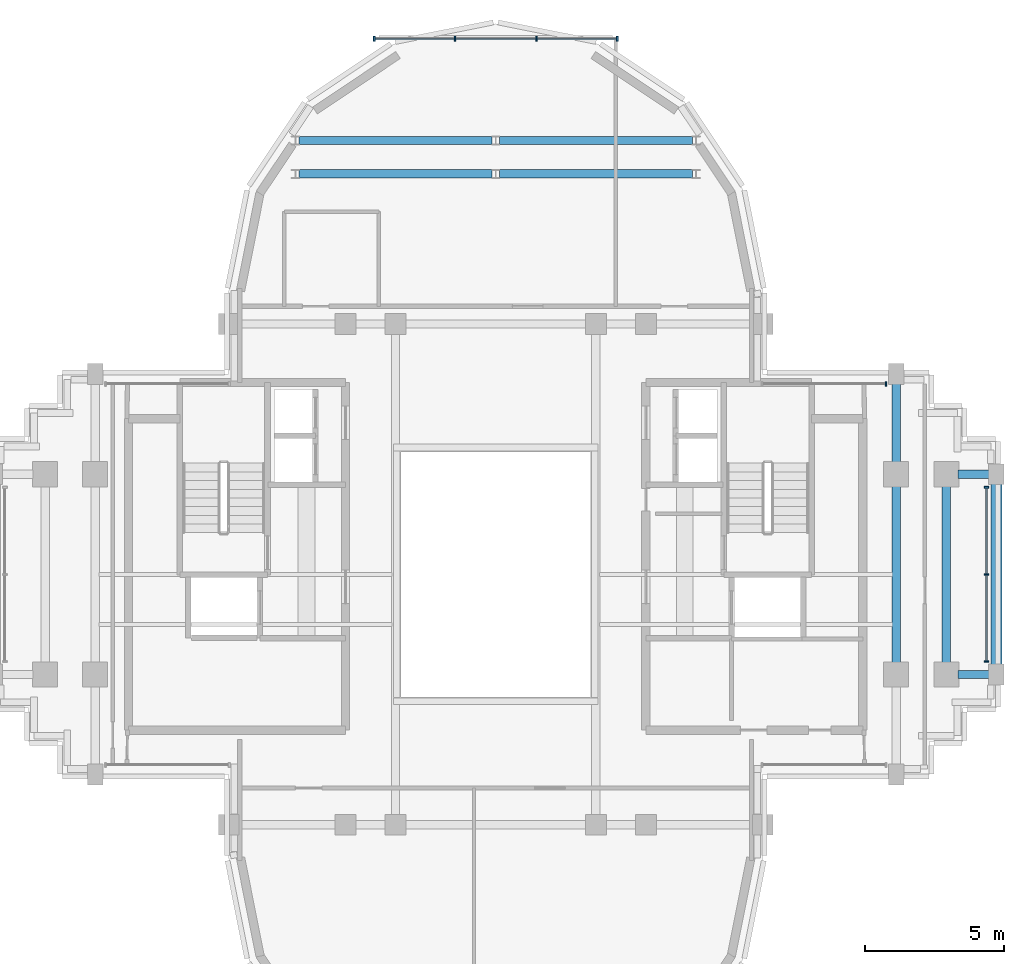
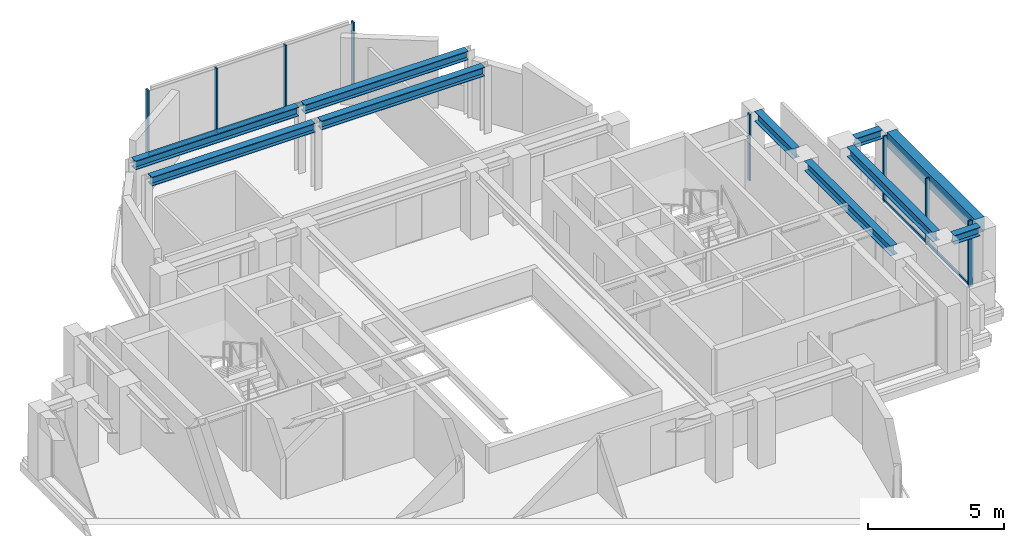
# One storey, part 6 of 12: 13 members, 10 beams, 3 elements without a shape of their own.
"""IFC4 building model written with IfcOpenShell, lengths in metres."""

import ifcopenshell
import ifcopenshell.guid

model = None  # the IFC model being written
_history = None  # IfcOwnerHistory: only IFC2X3 demands one
_inside = {}  # id of a spatial element -> (the spatial element, [elements in it])
_under = {}  # id of a project, library or spatial element -> (it, [spatial elements below it])
_declared = {}  # id of a project -> (the project, [libraries it declares])
_typed = {}  # id of a type object -> (the type object, [elements of that type])
_made_of = {}  # id of a material, layer set ... -> (it, [elements and type objects made of it])


def new_model(schema):
    """Start an empty IFC model of exactly this schema.

    Asked for "IFC4X3", IfcOpenShell would pick the latest addendum, in which some entities
    have other attributes; the version numbers below select the first issue.
    IFC2X3 requires an IfcOwnerHistory on every rooted entity: one is made here for all.
    """
    global model, _history
    if schema == "IFC4X3":
        model = ifcopenshell.file(schema_version=(4, 3, 0, 0))
    else:
        model = ifcopenshell.file(schema=schema)
    _inside.clear()
    _under.clear()
    _declared.clear()
    _typed.clear()
    _made_of.clear()
    _history = None
    if model.schema == "IFC2X3":
        org = make("IfcOrganization", Name="unknown")
        user = make(
            "IfcPersonAndOrganization",
            ThePerson=make("IfcPerson", FamilyName="unknown"),
            TheOrganization=org,
        )
        app = make(
            "IfcApplication",
            ApplicationDeveloper=org,
            Version="unknown",
            ApplicationFullName="unknown",
            ApplicationIdentifier="unknown",
        )
        _history = make(
            "IfcOwnerHistory",
            OwningUser=user,
            OwningApplication=app,
            ChangeAction="ADDED",
            CreationDate=0,
        )
    return model


def make(cls, **values):
    """One entity of the class cls with the attributes given. An attribute that is None is left unset."""
    return model.create_entity(
        cls, **{name: value for name, value in values.items() if value is not None}
    )


def rooted(cls, **values):
    """An entity with a GlobalId (a new one), such as an element, a storey or a relation."""
    return make(cls, GlobalId=ifcopenshell.guid.new(), OwnerHistory=_history, **values)


def si_unit(unit_type, name, prefix=None):
    """IfcSIUnit, for example si_unit("LENGTHUNIT", "METRE", prefix="MILLI")."""
    return make("IfcSIUnit", UnitType=unit_type, Prefix=prefix, Name=name)


def assignment(units):
    """IfcUnitAssignment: the units of a project."""
    return None if units is None else make("IfcUnitAssignment", Units=units)


def point(xyz):
    """IfcCartesianPoint."""
    return None if xyz is None else make("IfcCartesianPoint", Coordinates=xyz)


def direction(xyz):
    """IfcDirection."""
    return None if xyz is None else make("IfcDirection", DirectionRatios=xyz)


def frame(location, z_axis=None, x_axis=None):
    """IfcAxis2Placement3D, a coordinate frame: its origin and axes. An axis left out is left unset."""
    return make(
        "IfcAxis2Placement3D",
        Location=point(location),
        Axis=direction(z_axis),
        RefDirection=direction(x_axis),
    )


def frame_2d(location, x_axis=None):
    """IfcAxis2Placement2D, a coordinate frame in the plane: its origin and x axis."""
    return make(
        "IfcAxis2Placement2D", Location=point(location), RefDirection=direction(x_axis)
    )


def origin():
    """The frame at (0, 0, 0) with its axes left unset."""
    return frame((0.0, 0.0, 0.0))


def origin_2d():
    """The frame at (0, 0) in the plane with its x axis left unset."""
    return frame_2d((0.0, 0.0))


def place(relative_to, where):
    """IfcLocalPlacement: puts the frame where relative to a parent placement (None: the world)."""
    return make(
        "IfcLocalPlacement", PlacementRelTo=relative_to, RelativePlacement=where
    )


def context(
    kind, dimensions, precision=None, world=None, true_north=None, identifier=None
):
    """IfcGeometricRepresentationContext, for example the 3D "Model" context."""
    return make(
        "IfcGeometricRepresentationContext",
        ContextIdentifier=identifier,
        ContextType=kind,
        CoordinateSpaceDimension=dimensions,
        Precision=precision,
        WorldCoordinateSystem=world,
        TrueNorth=true_north,
    )


def subcontext(parent, identifier, kind, view, scale=None):
    """IfcGeometricRepresentationSubContext, for example "Body" below "Model"."""
    return make(
        "IfcGeometricRepresentationSubContext",
        ContextIdentifier=identifier,
        ContextType=kind,
        ParentContext=parent,
        TargetScale=scale,
        TargetView=view,
    )


def project(units=None, contexts=None):
    """IfcProject with its units and contexts."""
    return rooted(
        "IfcProject",
        Name="project",
        RepresentationContexts=contexts,
        UnitsInContext=assignment(units),
    )


def spatial(cls, under=None, at=None, **own):
    """A site, building, storey or space (cls), placed at a placement, below another one or the project."""
    s = rooted(cls, ObjectPlacement=at, **own)
    if under is not None:
        _under.setdefault(under.id(), (under, []))[1].append(s)
    return s


def profile(cls, at=None, kind="AREA", **sizes):
    """A parametric profile (cls). Its sizes go by their IFC names, for example OverallWidth=200.0."""
    return make(cls, ProfileType=kind, Position=at, **sizes)


def rectangle(**sizes):
    """IfcRectangleProfileDef."""
    return profile("IfcRectangleProfileDef", **sizes)


def i_section(**sizes):
    """IfcIShapeProfileDef."""
    return profile("IfcIShapeProfileDef", **sizes)


def extrude(swept, where, along, depth):
    """IfcExtrudedAreaSolid: the profile swept, set in the frame where, extruded along a direction by depth."""
    return make(
        "IfcExtrudedAreaSolid",
        SweptArea=swept,
        Position=where,
        ExtrudedDirection=direction(along),
        Depth=depth,
    )


def shape(context_of_items, identifier, shape_type, items):
    """IfcShapeRepresentation: the items that make up one representation, for example the "Body"."""
    return make(
        "IfcShapeRepresentation",
        ContextOfItems=context_of_items,
        RepresentationIdentifier=identifier,
        RepresentationType=shape_type,
        Items=items,
    )


def source(mapping_origin, context_of_items, identifier, shape_type, items):
    """IfcRepresentationMap: a shape defined once, which mapped items show again and again."""
    return make(
        "IfcRepresentationMap",
        MappingOrigin=mapping_origin,
        MappedRepresentation=shape(context_of_items, identifier, shape_type, items),
    )


def transform(
    local_origin,
    x_axis=None,
    y_axis=None,
    z_axis=None,
    scale=None,
    scale2=None,
    scale3=None,
    uniform=True,
):
    """IfcCartesianTransformationOperator3D, or its non-uniform kind. x_axis, y_axis, z_axis: its Axis1, 2, 3."""
    if uniform:
        return make(
            "IfcCartesianTransformationOperator3D",
            Axis1=direction(x_axis),
            Axis2=direction(y_axis),
            LocalOrigin=point(local_origin),
            Scale=scale,
            Axis3=direction(z_axis),
        )
    return make(
        "IfcCartesianTransformationOperator3DnonUniform",
        Axis1=direction(x_axis),
        Axis2=direction(y_axis),
        LocalOrigin=point(local_origin),
        Scale=scale,
        Axis3=direction(z_axis),
        Scale2=scale2,
        Scale3=scale3,
    )


def mapped(mapping_source, mapping_target):
    """IfcMappedItem: shows the shape of a source again, moved by a transform."""
    return make(
        "IfcMappedItem", MappingSource=mapping_source, MappingTarget=mapping_target
    )


def material(Name=None, Category=None):
    """IfcMaterial."""
    return make("IfcMaterial", Name=Name, Category=Category)


def material_profile(
    of_material, cross_section, Name=None, Category=None, Priority=None
):
    """IfcMaterialProfile: a cross section and its material."""
    return make(
        "IfcMaterialProfile",
        Name=Name,
        Material=of_material,
        Profile=cross_section,
        Priority=Priority,
        Category=Category,
    )


def profile_set(profiles, Name=None, composite=None):
    """IfcMaterialProfileSet."""
    return make(
        "IfcMaterialProfileSet",
        Name=Name,
        MaterialProfiles=profiles,
        CompositeProfile=composite,
    )


def made_of(thing, what):
    """Note that an element or type object is made of a material, layer set ...; save() writes the relation."""
    if what is not None:
        _made_of.setdefault(what.id(), (what, []))[1].append(thing)
    return thing


def type_object(cls, material=None, **own):
    """A type object (cls), such as IfcWallType, which elements share."""
    return made_of(rooted(cls, **own), material)


def element(
    cls,
    number,
    at=None,
    inside=None,
    cuts=None,
    type_object=None,
    material=None,
    context=None,
    identifier="Body",
    shape_type=None,
    held_by="IfcProductDefinitionShape",
    body=None,
    shapes=None,
    **own,
):
    """One element of the class cls, such as IfcWall. Its Tag is "e" and its number.

    at: its placement. inside: the storey or other place that contains it. cuts: it is an
    opening in that element (IfcRelVoidsElement). A single representation is given by context,
    identifier, shape_type and body (its items); several are given by shapes. held_by: the class
    of the entity that holds the representations. save() writes the other relations.
    """
    e = rooted(cls, Tag="e%d" % number, ObjectPlacement=at, **own)
    if body is not None:
        shapes = [shape(context, identifier, shape_type, body)]
    if shapes is not None:
        e.Representation = make(held_by, Representations=shapes)
    if inside is not None:
        _inside.setdefault(inside.id(), (inside, []))[1].append(e)
    if cuts is not None:
        rooted(
            "IfcRelVoidsElement", RelatingBuildingElement=cuts, RelatedOpeningElement=e
        )
    if type_object is not None:
        _typed.setdefault(type_object.id(), (type_object, []))[1].append(e)
    return made_of(e, material)


def aggregate(whole, parts):
    """IfcRelAggregates: a whole, such as a stair, and the parts it consists of."""
    return rooted("IfcRelAggregates", RelatingObject=whole, RelatedObjects=parts)


def save(model, path):
    """Write the relations noted so far, then the file.

    IfcRelAggregates (storeys below a building ...), IfcRelContainedInSpatialStructure (elements
    in a storey), IfcRelDefinesByType, IfcRelAssociatesMaterial and IfcRelDeclares: one each for
    every whole, place, type object, material and project.
    """
    for whole, parts in _under.values():
        aggregate(whole, parts)
    for where, things in _inside.values():
        rooted(
            "IfcRelContainedInSpatialStructure",
            RelatedElements=things,
            RelatingStructure=where,
        )
    for kind, things in _typed.values():
        rooted("IfcRelDefinesByType", RelatedObjects=things, RelatingType=kind)
    for what, things in _made_of.values():
        rooted("IfcRelAssociatesMaterial", RelatedObjects=things, RelatingMaterial=what)
    for by, libraries in _declared.values():
        rooted("IfcRelDeclares", RelatingContext=by, RelatedDefinitions=libraries)
    model.write(path)


model = new_model("IFC4")

# Units and contexts
model_context = context("Model", 3, precision=1e-05, world=origin(), true_north=direction((0.0, 1.0)))
body_context = subcontext(model_context, "Body", "Model", "MODEL_VIEW")
ifc_project = project(units=[si_unit("LENGTHUNIT", "METRE"), si_unit("AREAUNIT", "SQUARE_METRE"), si_unit("VOLUMEUNIT", "CUBIC_METRE"), si_unit("PLANEANGLEUNIT", "RADIAN"), si_unit("MASSUNIT", "GRAM", prefix="KILO")], contexts=[model_context])

# Site, building, storey
site_placement = place(None, origin())
site = spatial("IfcSite", under=ifc_project, at=site_placement, CompositionType="ELEMENT")
building_placement = place(site_placement, origin())
building = spatial("IfcBuilding", under=site, at=building_placement, Name="Keilestroom Media Tower", CompositionType="ELEMENT")
storey_placement = place(building_placement, frame((0.0, 0.0, 236.39990234375)))
storey = spatial("IfcBuildingStorey", under=building, at=storey_placement, Name="L65", CompositionType="ELEMENT", Elevation=236.39990234375)

# Beams
ifc_material_1 = material(Name="Steel S355", Category="steel")
ifc_material_profile_1 = material_profile(ifc_material_1, i_section(OverallWidth=0.300048828125, OverallDepth=0.39990234375, WebThickness=0.011474609375, FlangeThickness=0.02392578125, at=origin_2d()), Name="HEB 400")
ifc_profile_set_1 = profile_set([ifc_material_profile_1], Name="Steel S355")
beam_type_1 = type_object("IfcBeamType", Name="Primary-Structural-Girder-HEB-400", PredefinedType="BEAM", material=ifc_profile_set_1)
shared_shape_1 = source(origin(), body_context, "Body", "SweptSolid", [
    extrude(i_section(OverallWidth=0.300048828125, OverallDepth=0.39990234375, WebThickness=0.011474609375, FlangeThickness=0.02392578125, at=origin_2d()), origin(), (0.0, 0.0, 1.0), 6.940185546875),
])
for number, where, z_axis, x_axis, name in (
    (1, (-7.070068359375, 14.39990234375, 2.81005859375), (1.0, 0.0, 0.0), (0.0, 1.0, 0.0), "L65 Beam BG-8 BM-L65-EW-021"),
    (2, (0.1298828125, 14.39990234375, 2.81005859375), (1.0, 0.0, 0.0), (0.0, 1.0, 0.0), "L65 Beam BG-8 BM-L65-EW-022"),
    (3, (-7.070068359375, 15.60009765625, 2.81005859375), (1.0, 0.0, 0.0), (0.0, 1.0, 0.0), "L65 Beam BG-8 BM-L65-EW-023"),
    (4, (0.1298828125, 15.60009765625, 2.81005859375), (1.0, 0.0, 0.0), (0.0, 1.0, 0.0), "L65 Beam BG-8 BM-L65-EW-024"),
):
    element("IfcBeam", number, at=place(storey_placement, frame(where, z_axis=z_axis, x_axis=x_axis)), inside=storey, type_object=beam_type_1, Name=name, PredefinedType="BEAM", context=body_context, shape_type="MappedRepresentation", body=[
        mapped(shared_shape_1, transform((0.0, 0.0, 0.0), x_axis=(1.0, 0.0, 0.0), y_axis=(0.0, 1.0, 0.0), z_axis=(0.0, 0.0, 1.0), scale=1.0)),
    ])
shared_shape_2 = source(origin(), body_context, "Body", "SweptSolid", [
    extrude(i_section(OverallWidth=0.300048828125, OverallDepth=0.39990234375, WebThickness=0.011474609375, FlangeThickness=0.02392578125, at=origin_2d()), origin(), (0.0, 0.0, 1.0), 1.115234375),
])
for number, where, z_axis, x_axis, name in (
    (5, (16.6298828125, -3.60009765625, 2.81005859375), (1.0, 0.0, 0.0), (0.0, 1.0, 0.0), "L65 Beam BG-8 BM-L65-EW-011"),
    (6, (16.6298828125, 3.60009765625, 2.81005859375), (1.0, 0.0, 0.0), (0.0, 1.0, 0.0), "L65 Beam BG-8 BM-L65-EW-015"),
):
    element("IfcBeam", number, at=place(storey_placement, frame(where, z_axis=z_axis, x_axis=x_axis)), inside=storey, type_object=beam_type_1, Name=name, PredefinedType="BEAM", context=body_context, shape_type="MappedRepresentation", body=[
        mapped(shared_shape_2, transform((0.0, 0.0, 0.0), x_axis=(1.0, 0.0, 0.0), y_axis=(0.0, 1.0, 0.0), z_axis=(0.0, 0.0, 1.0), scale=1.0)),
    ])
ifc_material_2 = material(Name="Precast concrete C40/50", Category="concrete")
ifc_material_profile_2 = material_profile(ifc_material_2, rectangle(XDim=0.39990234375, YDim=0.64990234375, at=origin_2d()), Name="PC 400x650")
ifc_profile_set_2 = profile_set([ifc_material_profile_2], Name="Precast concrete C40/50")
beam_type_2 = type_object("IfcBeamType", Name="Perimeter-Spandrel-Beam-PC-400x650", PredefinedType="SPANDREL", material=ifc_profile_set_2)
shared_shape_3 = source(origin(), body_context, "Body", "SweptSolid", [
    extrude(rectangle(XDim=0.39990234375, YDim=0.64990234375, at=origin_2d()), origin(), (0.0, 0.0, 1.0), 6.490234375),
])
beam_1_placement = place(storey_placement, frame((18.0, -3.2451171875, 2.68505859375), z_axis=(0.0, 1.0, 0.0), x_axis=(-1.0, 0.0, 0.0)))
element("IfcBeam", 7, at=beam_1_placement, inside=storey, type_object=beam_type_2, Name="L65 Beam SPB-2 BM-L65-NS-044", PredefinedType="SPANDREL", context=body_context, shape_type="MappedRepresentation", body=[
    mapped(shared_shape_3, transform((0.0, 0.0, 0.0), x_axis=(1.0, 0.0, 0.0), y_axis=(0.0, 1.0, 0.0), z_axis=(0.0, 0.0, 1.0), scale=1.0)),
])
ifc_material_profile_3 = material_profile(ifc_material_1, i_section(OverallWidth=0.300048828125, OverallDepth=0.43994140625, WebThickness=0.011474609375, FlangeThickness=0.02099609375, at=origin_2d()), Name="HEA 450")
ifc_profile_set_3 = profile_set([ifc_material_profile_3], Name="Steel S355")
beam_type_3 = type_object("IfcBeamType", Name="Primary-Structural-Girder-HEA-450", PredefinedType="BEAM", material=ifc_profile_set_3)
shared_shape_4 = source(origin(), body_context, "Body", "SweptSolid", [
    extrude(i_section(OverallWidth=0.300048828125, OverallDepth=0.43994140625, WebThickness=0.011474609375, FlangeThickness=0.02099609375, at=origin_2d()), origin(), (0.0, 0.0, 1.0), 6.33984375),
])
for number, where, z_axis, x_axis, name in (
    (8, (14.39990234375, -3.169921875, 2.7900390625), (0.0, 1.0, 0.0), (-1.0, 0.0, 0.0), "L65 Beam BG-11 BM-L65-NS-041"),
    (9, (16.199951171875, -3.169921875, 2.7900390625), (0.0, 1.0, 0.0), (-1.0, 0.0, 0.0), "L65 Beam BG-11 BM-L65-NS-043"),
):
    element("IfcBeam", number, at=place(storey_placement, frame(where, z_axis=z_axis, x_axis=x_axis)), inside=storey, type_object=beam_type_3, Name=name, PredefinedType="BEAM", context=body_context, shape_type="MappedRepresentation", body=[
        mapped(shared_shape_4, transform((0.0, 0.0, 0.0), x_axis=(1.0, 0.0, 0.0), y_axis=(0.0, 1.0, 0.0), z_axis=(0.0, 0.0, 1.0), scale=1.0)),
    ])
shared_shape_5 = source(origin(), body_context, "Body", "SweptSolid", [
    extrude(i_section(OverallWidth=0.300048828125, OverallDepth=0.43994140625, WebThickness=0.011474609375, FlangeThickness=0.02099609375, at=origin_2d()), origin(), (0.0, 0.0, 1.0), 2.81494140625),
])
beam_2_placement = place(storey_placement, frame((14.39990234375, 4.030029296875, 2.7900390625), z_axis=(0.0, 1.0, 0.0), x_axis=(-1.0, 0.0, 0.0)))
element("IfcBeam", 10, at=beam_2_placement, inside=storey, type_object=beam_type_3, Name="L65 Beam BG-11 BM-L65-NS-042", PredefinedType="BEAM", context=body_context, shape_type="MappedRepresentation", body=[
    mapped(shared_shape_5, transform((0.0, 0.0, 0.0), x_axis=(1.0, 0.0, 0.0), y_axis=(0.0, 1.0, 0.0), z_axis=(0.0, 0.0, 1.0), scale=1.0)),
])

# Curtain wall, members
ifc_material_3 = material(Name="Anodised Aluminium Alloy", Category="aluminium")
curtain_wall_type_1 = type_object("IfcCurtainWallType", Name="Unitised-Curtain-Wall-CW-6", PredefinedType="NOTDEFINED", material=ifc_material_3)
curtain_wall_1_placement = place(storey_placement, origin())
curtain_wall_1 = element("IfcCurtainWall", 11, at=curtain_wall_1_placement, inside=storey, type_object=curtain_wall_type_1, Name="L65 Curtain Wall CW-6 CW-L65-LN-1", PredefinedType="NOTDEFINED")
ifc_material_profile_4 = material_profile(ifc_material_3, rectangle(XDim=0.06494140625, YDim=0.179931640625, at=origin_2d()), Name="ALU MULLION 65x180")
ifc_profile_set_4 = profile_set([ifc_material_profile_4], Name="Anodised Aluminium Alloy")
member_type_1 = type_object("IfcMemberType", Name="Curtain-Wall-Mullion-CW-6", PredefinedType="MULLION", material=ifc_profile_set_4)
shared_shape_6 = source(origin(), body_context, "Body", "SweptSolid", [
    extrude(rectangle(XDim=0.06494140625, YDim=0.179931640625, at=origin_2d()), origin(), (0.0, 0.0, 1.0), 2.97998046875),
])
member_1_placement = place(storey_placement, frame((-4.367431640625, 19.25, 0.0), z_axis=(0.0, 0.0, 1.0), x_axis=(1.0, 0.0, 0.0)))
member_1 = element("IfcMember", 12, at=member_1_placement, type_object=member_type_1, Name="CW-6 Mullion 00", PredefinedType="MULLION", context=body_context, shape_type="MappedRepresentation", body=[
    mapped(shared_shape_6, transform((0.0, 0.0, 0.0), x_axis=(1.0, 0.0, 0.0), y_axis=(0.0, 1.0, 0.0), z_axis=(0.0, 0.0, 1.0), scale=1.0)),
])
member_2_placement = place(storey_placement, frame((-1.466796875, 19.25, 0.0), z_axis=(0.0, 0.0, 1.0), x_axis=(1.0, 0.0, 0.0)))
member_2 = element("IfcMember", 13, at=member_2_placement, type_object=member_type_1, Name="CW-6 Mullion 01", PredefinedType="MULLION", context=body_context, shape_type="MappedRepresentation", body=[
    mapped(shared_shape_6, transform((0.0, 0.0, 0.0), x_axis=(1.0, 0.0, 0.0), y_axis=(0.0, 1.0, 0.0), z_axis=(0.0, 0.0, 1.0), scale=1.0)),
])
member_3_placement = place(storey_placement, frame((1.466796875, 19.25, 0.0), z_axis=(0.0, 0.0, 1.0), x_axis=(1.0, 0.0, 0.0)))
member_3 = element("IfcMember", 14, at=member_3_placement, type_object=member_type_1, Name="CW-6 Mullion 02", PredefinedType="MULLION", context=body_context, shape_type="MappedRepresentation", body=[
    mapped(shared_shape_6, transform((0.0, 0.0, 0.0), x_axis=(1.0, 0.0, 0.0), y_axis=(0.0, 1.0, 0.0), z_axis=(0.0, 0.0, 1.0), scale=1.0)),
])
member_4_placement = place(storey_placement, frame((4.367431640625, 19.25, 0.0), z_axis=(0.0, 0.0, 1.0), x_axis=(1.0, 0.0, 0.0)))
member_4 = element("IfcMember", 15, at=member_4_placement, type_object=member_type_1, Name="CW-6 Mullion 03", PredefinedType="MULLION", context=body_context, shape_type="MappedRepresentation", body=[
    mapped(shared_shape_6, transform((0.0, 0.0, 0.0), x_axis=(1.0, 0.0, 0.0), y_axis=(0.0, 1.0, 0.0), z_axis=(0.0, 0.0, 1.0), scale=1.0)),
])
ifc_material_profile_5 = material_profile(ifc_material_3, rectangle(XDim=0.06494140625, YDim=0.14990234375, at=origin_2d()), Name="ALU TRANSOM 65x150")
ifc_profile_set_5 = profile_set([ifc_material_profile_5], Name="Anodised Aluminium Alloy")
member_type_2 = type_object("IfcMemberType", Name="Curtain-Wall-Transom-CW-6", PredefinedType="USERDEFINED", material=ifc_profile_set_5)
shared_shape_7 = source(origin(), body_context, "Body", "SweptSolid", [
    extrude(rectangle(XDim=0.06494140625, YDim=0.14990234375, at=origin_2d()), origin(), (0.0, 0.0, 1.0), 2.839599609375),
])
member_5_placement = place(storey_placement, frame((-4.3369140625, 19.25, 0.0751953125), z_axis=(1.0, 0.0, 0.0), x_axis=(0.0, 1.0, 0.0)))
member_5 = element("IfcMember", 16, at=member_5_placement, type_object=member_type_2, Name="CW-6 Transom 00.1", ObjectType="TRANSOM", PredefinedType="USERDEFINED", context=body_context, shape_type="MappedRepresentation", body=[
    mapped(shared_shape_7, transform((0.0, 0.0, 0.0), x_axis=(1.0, 0.0, 0.0), y_axis=(0.0, 1.0, 0.0), z_axis=(0.0, 0.0, 1.0), scale=1.0)),
])
member_6_placement = place(storey_placement, frame((1.497314453125, 19.25, 0.0751953125), z_axis=(1.0, 0.0, 0.0), x_axis=(0.0, 1.0, 0.0)))
member_6 = element("IfcMember", 17, at=member_6_placement, type_object=member_type_2, Name="CW-6 Transom 02.1", ObjectType="TRANSOM", PredefinedType="USERDEFINED", context=body_context, shape_type="MappedRepresentation", body=[
    mapped(shared_shape_7, transform((0.0, 0.0, 0.0), x_axis=(1.0, 0.0, 0.0), y_axis=(0.0, 1.0, 0.0), z_axis=(0.0, 0.0, 1.0), scale=1.0)),
])
shared_shape_8 = source(origin(), body_context, "Body", "SweptSolid", [
    extrude(rectangle(XDim=0.06494140625, YDim=0.14990234375, at=origin_2d()), origin(), (0.0, 0.0, 1.0), 2.87255859375),
])
member_7_placement = place(storey_placement, frame((-1.436279296875, 19.25, 0.0751953125), z_axis=(1.0, 0.0, 0.0), x_axis=(0.0, 1.0, 0.0)))
member_7 = element("IfcMember", 18, at=member_7_placement, type_object=member_type_2, Name="CW-6 Transom 01.1", ObjectType="TRANSOM", PredefinedType="USERDEFINED", context=body_context, shape_type="MappedRepresentation", body=[
    mapped(shared_shape_8, transform((0.0, 0.0, 0.0), x_axis=(1.0, 0.0, 0.0), y_axis=(0.0, 1.0, 0.0), z_axis=(0.0, 0.0, 1.0), scale=1.0)),
])
aggregate(curtain_wall_1, [member_1, member_2, member_3, member_4, member_5, member_7, member_6])

curtain_wall_type_2 = type_object("IfcCurtainWallType", Name="Unitised-Curtain-Wall-CW-4", PredefinedType="NOTDEFINED", material=ifc_material_3)
curtain_wall_2_placement = place(storey_placement, origin())
curtain_wall_2 = element("IfcCurtainWall", 19, at=curtain_wall_2_placement, inside=storey, type_object=curtain_wall_type_2, Name="L65 Curtain Wall CW-4 CW-L65-E-1", PredefinedType="NOTDEFINED")
ifc_material_profile_6 = material_profile(ifc_material_3, rectangle(XDim=0.06005859375, YDim=0.159912109375, at=origin_2d()), Name="ALU MULLION 60x160")
ifc_profile_set_6 = profile_set([ifc_material_profile_6], Name="Anodised Aluminium Alloy")
member_type_3 = type_object("IfcMemberType", Name="Curtain-Wall-Mullion-CW-4", PredefinedType="MULLION", material=ifc_profile_set_6)
shared_shape_9 = source(origin(), body_context, "Body", "SweptSolid", [
    extrude(rectangle(XDim=0.06005859375, YDim=0.159912109375, at=origin_2d()), origin(), (0.0, 0.0, 1.0), 2.97998046875),
])
member_8_placement = place(storey_placement, frame((17.64990234375, -3.135009765625, 0.0), z_axis=(0.0, 0.0, 1.0), x_axis=(0.0, 1.0, 0.0)))
member_8 = element("IfcMember", 20, at=member_8_placement, type_object=member_type_3, Name="CW-4 Mullion 00", PredefinedType="MULLION", context=body_context, shape_type="MappedRepresentation", body=[
    mapped(shared_shape_9, transform((0.0, 0.0, 0.0), x_axis=(1.0, 0.0, 0.0), y_axis=(0.0, 1.0, 0.0), z_axis=(0.0, 0.0, 1.0), scale=1.0)),
])
member_9_placement = place(storey_placement, frame((17.64990234375, 0.0, 0.0), z_axis=(0.0, 0.0, 1.0), x_axis=(0.0, 1.0, 0.0)))
member_9 = element("IfcMember", 21, at=member_9_placement, type_object=member_type_3, Name="CW-4 Mullion 01", PredefinedType="MULLION", context=body_context, shape_type="MappedRepresentation", body=[
    mapped(shared_shape_9, transform((0.0, 0.0, 0.0), x_axis=(1.0, 0.0, 0.0), y_axis=(0.0, 1.0, 0.0), z_axis=(0.0, 0.0, 1.0), scale=1.0)),
])
member_10_placement = place(storey_placement, frame((17.64990234375, 3.135009765625, 0.0), z_axis=(0.0, 0.0, 1.0), x_axis=(0.0, 1.0, 0.0)))
member_10 = element("IfcMember", 22, at=member_10_placement, type_object=member_type_3, Name="CW-4 Mullion 02", PredefinedType="MULLION", context=body_context, shape_type="MappedRepresentation", body=[
    mapped(shared_shape_9, transform((0.0, 0.0, 0.0), x_axis=(1.0, 0.0, 0.0), y_axis=(0.0, 1.0, 0.0), z_axis=(0.0, 0.0, 1.0), scale=1.0)),
])

# Curtain wall, member
curtain_wall_3_placement = place(storey_placement, origin())
curtain_wall_3 = element("IfcCurtainWall", 23, at=curtain_wall_3_placement, inside=storey, type_object=curtain_wall_type_2, Name="L65 Curtain Wall CW-4 CW-L65-NE-1", PredefinedType="NOTDEFINED")
member_11_placement = place(storey_placement, frame((14.034912109375, 6.85009765625, 0.0), z_axis=(0.0, 0.0, 1.0), x_axis=(1.0, 0.0, 0.0)))
member_11 = element("IfcMember", 24, at=member_11_placement, type_object=member_type_3, Name="CW-4 Mullion 01", PredefinedType="MULLION", context=body_context, shape_type="MappedRepresentation", body=[
    mapped(shared_shape_9, transform((0.0, 0.0, 0.0), x_axis=(1.0, 0.0, 0.0), y_axis=(0.0, 1.0, 0.0), z_axis=(0.0, 0.0, 1.0), scale=1.0)),
])
aggregate(curtain_wall_3, [member_11])

# Member
ifc_material_profile_7 = material_profile(ifc_material_3, rectangle(XDim=0.06005859375, YDim=0.1298828125, at=origin_2d()), Name="ALU TRANSOM 60x130")
ifc_profile_set_7 = profile_set([ifc_material_profile_7], Name="Anodised Aluminium Alloy")
member_type_4 = type_object("IfcMemberType", Name="Curtain-Wall-Transom-CW-4", PredefinedType="USERDEFINED", material=ifc_profile_set_7)
shared_shape_10 = source(origin(), body_context, "Body", "SweptSolid", [
    extrude(rectangle(XDim=0.06005859375, YDim=0.1298828125, at=origin_2d()), origin(), (0.0, 0.0, 1.0), 3.078857421875),
])
member_12_placement = place(storey_placement, frame((17.64990234375, -3.10693359375, 0.065185546875), z_axis=(0.0, 1.0, 0.0), x_axis=(-1.0, 0.0, 0.0)))
member_12 = element("IfcMember", 25, at=member_12_placement, type_object=member_type_4, Name="CW-4 Transom 00.1", ObjectType="TRANSOM", PredefinedType="USERDEFINED", context=body_context, shape_type="MappedRepresentation", body=[
    mapped(shared_shape_10, transform((0.0, 0.0, 0.0), x_axis=(1.0, 0.0, 0.0), y_axis=(0.0, 1.0, 0.0), z_axis=(0.0, 0.0, 1.0), scale=1.0)),
])

member_13_placement = place(storey_placement, frame((17.64990234375, 0.028076171875, 0.065185546875), z_axis=(0.0, 1.0, 0.0), x_axis=(-1.0, 0.0, 0.0)))
member_13 = element("IfcMember", 26, at=member_13_placement, type_object=member_type_4, Name="CW-4 Transom 01.1", ObjectType="TRANSOM", PredefinedType="USERDEFINED", context=body_context, shape_type="MappedRepresentation", body=[
    mapped(shared_shape_10, transform((0.0, 0.0, 0.0), x_axis=(1.0, 0.0, 0.0), y_axis=(0.0, 1.0, 0.0), z_axis=(0.0, 0.0, 1.0), scale=1.0)),
])

aggregate(curtain_wall_2, [member_8, member_9, member_10, member_12, member_13])

save(model, "model.ifc")
